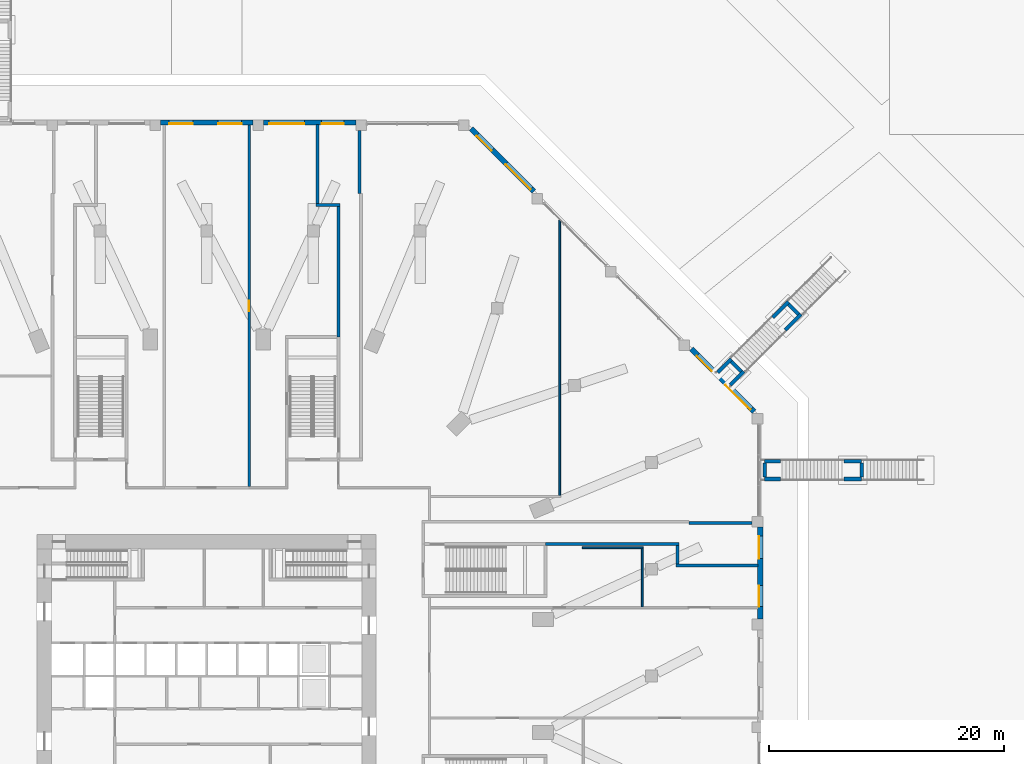
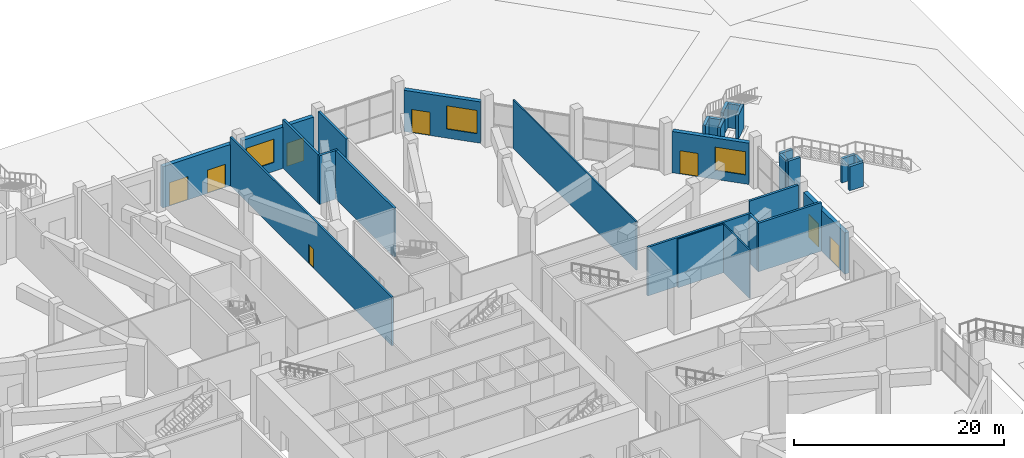
# One storey, part 28 of 36: 29 walls, 8 doors, 3 windows, 11 openings.
"""IFC4 building model written with IfcOpenShell, lengths in metres."""

from ifc_helpers import new_model, si_unit, direction, frame, frame_2d, origin, place, context, subcontext, project, spatial, rectangle, extrude, material, layer, layer_set, type_object, element, fill, save


model = new_model("IFC4")

# Units and contexts
model_context = context("Model", 3, precision=1e-05, world=origin(), true_north=direction((0.0, 1.0)))
body_context = subcontext(model_context, "Body", "Model", "MODEL_VIEW")
ifc_project = project(units=[si_unit("LENGTHUNIT", "METRE"), si_unit("AREAUNIT", "SQUARE_METRE"), si_unit("VOLUMEUNIT", "CUBIC_METRE"), si_unit("PLANEANGLEUNIT", "RADIAN"), si_unit("MASSUNIT", "GRAM", prefix="KILO")], contexts=[model_context])

# Site, building, storey
site_placement = place(None, origin())
site = spatial("IfcSite", under=ifc_project, at=site_placement, CompositionType="ELEMENT")
building_placement = place(site_placement, origin())
building = spatial("IfcBuilding", under=site, at=building_placement, Name="Msitu Wima Residences", CompositionType="ELEMENT")
storey_placement = place(building_placement, origin())
storey = spatial("IfcBuildingStorey", under=building, at=storey_placement, Name="L00", CompositionType="ELEMENT", Elevation=0.0)

# Wall, openings, doors
ifc_material_1 = material(Name="Brick (red buff mix), cavity wall of two leaves", Category="masonry")
ifc_layer_1 = layer(ifc_material_1, 0.449951171875)
ifc_layer_set_1 = layer_set([ifc_layer_1], Name="Brick (red buff mix), cavity wall of two leaves")
wall_type_1 = type_object("IfcWallType", Name="Brick infill wall BW450 podium", PredefinedType="ELEMENTEDWALL", material=ifc_layer_set_1)
wall_1_placement = place(storey_placement, frame((47.02490234375, 4.8212890625, 0.0), z_axis=(0.0, 0.0, 1.0), x_axis=(0.0, 1.0, 0.0)))
wall_1 = element("IfcWall", 1, at=wall_1_placement, inside=storey, type_object=wall_type_1, Name="Brick infill wall L00 E3", PredefinedType="ELEMENTEDWALL", context=body_context, shape_type="SweptSolid", body=[
    extrude(rectangle(XDim=7.84228515625, YDim=0.449951171875, at=frame_2d((3.921142578125, 0.0))), origin(), (0.0, 0.0, 1.0), 4.800048828125),
])
opening_1_placement = place(wall_1_placement, frame((1.060546875, 0.0, 0.0)))
opening_1 = element("IfcOpeningElement", 2, at=opening_1_placement, cuts=wall_1, Name="Opening D00.005", PredefinedType="OPENING", context=body_context, shape_type="SweptSolid", body=[
    extrude(rectangle(XDim=1.800048828125, YDim=2.699951171875, at=frame_2d((0.89990234375, 1.35009765625))), frame((0.0, 0.23486328125, 0.0), z_axis=(0.0, -1.0, 0.0), x_axis=(1.0, 0.0, 0.0)), (0.0, 0.0, 1.0), 0.469970703125),
])
opening_2_placement = place(wall_1_placement, frame((5.15673828125, 0.0, 0.0)))
opening_2 = element("IfcOpeningElement", 3, at=opening_2_placement, cuts=wall_1, Name="Opening D00.006", PredefinedType="OPENING", context=body_context, shape_type="SweptSolid", body=[
    extrude(rectangle(XDim=1.89990234375, YDim=2.699951171875, at=frame_2d((0.949951171875, 1.35009765625))), frame((0.0, 0.23486328125, 0.0), z_axis=(0.0, -1.0, 0.0), x_axis=(1.0, 0.0, 0.0)), (0.0, 0.0, 1.0), 0.469970703125),
])
ifc_material_2 = material(Name="Anodised aluminium, bronze finish, clear laminated glazing", Category="aluminium")
door_type_1 = type_object("IfcDoorType", Name="Exit door D1900x2700", OperationType="DOUBLE_DOOR_SINGLE_SWING", PredefinedType="DOOR", material=ifc_material_2)
door_1_placement = place(opening_2_placement, frame((1.89990234375, 0.0, 0.0), z_axis=(0.0, 0.0, 1.0), x_axis=(-1.0, 0.0, 0.0)))
door_1 = element("IfcDoor", 4, at=door_1_placement, inside=storey, type_object=door_type_1, Name="Exit door L00 E3", OperationType="DOUBLE_DOOR_SINGLE_SWING", OverallHeight=2.699951171875, OverallWidth=1.89990234375, PredefinedType="DOOR", context=body_context, shape_type="SweptSolid", body=[
    extrude(rectangle(XDim=1.89990234375, YDim=2.699951171875, at=frame_2d((0.949951171875, 1.35009765625))), frame((0.0, -0.079833984375, 0.0), z_axis=(0.0, -1.0, 0.0), x_axis=(1.0, 0.0, 0.0)), (0.0, 0.0, 1.0), 0.050048828125),
])
fill(opening_2, door_1)
door_type_2 = type_object("IfcDoorType", Name="Shopfront door D1800x2700", OperationType="DOUBLE_DOOR_SINGLE_SWING", PredefinedType="DOOR", material=ifc_material_2)
door_2_placement = place(opening_1_placement, frame((1.800048828125, 0.0, 0.0), z_axis=(0.0, 0.0, 1.0), x_axis=(-1.0, 0.0, 0.0)))
door_2 = element("IfcDoor", 5, at=door_2_placement, inside=storey, type_object=door_type_2, Name="Shopfront door L00 E3", OperationType="DOUBLE_DOOR_SINGLE_SWING", OverallHeight=2.699951171875, OverallWidth=1.800048828125, PredefinedType="DOOR", context=body_context, shape_type="SweptSolid", body=[
    extrude(rectangle(XDim=1.800048828125, YDim=2.699951171875, at=frame_2d((0.900146484375, 1.35009765625))), frame((0.0, -0.079833984375, 0.0), z_axis=(0.0, -1.0, 0.0), x_axis=(1.0, 0.0, 0.0)), (0.0, 0.0, 1.0), 0.050048828125),
])
fill(opening_1, door_2)

# Wall, openings, door, window
wall_2_placement = place(storey_placement, frame((46.509033203125, 22.46484375, 0.0), z_axis=(0.0, 0.0, 1.0), x_axis=(-0.70709060488, 0.707122957123, 0.0)))
wall_2 = element("IfcWall", 6, at=wall_2_placement, inside=storey, type_object=wall_type_1, Name="Brick infill wall L00 NE0", PredefinedType="ELEMENTEDWALL", context=body_context, shape_type="SweptSolid", body=[
    extrude(rectangle(XDim=7.54638671875, YDim=0.449951171875, at=frame_2d((3.773193359375, 0.0))), origin(), (0.0, 0.0, 1.0), 4.800048828125),
])
opening_3_placement = place(wall_2_placement, frame((0.3232421875, 0.0, 1.050048828125)))
opening_3 = element("IfcOpeningElement", 7, at=opening_3_placement, cuts=wall_2, Name="Opening W00.004", PredefinedType="OPENING", context=body_context, shape_type="SweptSolid", body=[
    extrude(rectangle(XDim=3.0, YDim=2.699951171875, at=frame_2d((1.5, 1.35009765625))), frame((0.0, 0.23486328125, 0.0), z_axis=(0.0, -1.0, 0.0), x_axis=(1.0, 0.0, 0.0)), (0.0, 0.0, 1.0), 0.469970703125),
])
opening_4_placement = place(wall_2_placement, frame((4.984619140625, 0.0, 0.0)))
opening_4 = element("IfcOpeningElement", 8, at=opening_4_placement, cuts=wall_2, Name="Opening D00.012", PredefinedType="OPENING", context=body_context, shape_type="SweptSolid", body=[
    extrude(rectangle(XDim=1.800048828125, YDim=2.699951171875, at=frame_2d((0.89990234375, 1.35009765625))), frame((0.0, 0.23486328125, 0.0), z_axis=(0.0, -1.0, 0.0), x_axis=(1.0, 0.0, 0.0)), (0.0, 0.0, 1.0), 0.469970703125),
])
door_3_placement = place(opening_4_placement, frame((1.800048828125, 0.0, 0.0), z_axis=(0.0, 0.0, 1.0), x_axis=(-1.0, 0.0, 0.0)))
door_3 = element("IfcDoor", 9, at=door_3_placement, inside=storey, type_object=door_type_2, Name="Shopfront door L00 NE0", OperationType="DOUBLE_DOOR_SINGLE_SWING", OverallHeight=2.699951171875, OverallWidth=1.800048828125, PredefinedType="DOOR", context=body_context, shape_type="SweptSolid", body=[
    extrude(rectangle(XDim=1.800048828125, YDim=2.699951171875, at=frame_2d((0.900146484375, 1.35009765625))), frame((0.0, -0.079833984375, 0.0), z_axis=(0.0, -1.0, 0.0), x_axis=(1.0, 0.0, 0.0)), (0.0, 0.0, 1.0), 0.050048828125),
])
fill(opening_4, door_3)
ifc_material_3 = material(Name="Anodised aluminium, bronze finish, clear low-emissivity double glazing", Category="aluminium")
window_type = type_object("IfcWindowType", Name="Window W3000x2700", PartitioningType="DOUBLE_PANEL_VERTICAL", PredefinedType="WINDOW", material=ifc_material_3)
window_1_placement = place(opening_3_placement, origin())
window_1 = element("IfcWindow", 10, at=window_1_placement, inside=storey, type_object=window_type, Name="Window L00 NE0.1", OverallHeight=2.699951171875, OverallWidth=3.0, PartitioningType="SINGLE_PANEL", PredefinedType="WINDOW", context=body_context, shape_type="SweptSolid", body=[
    extrude(rectangle(XDim=3.0, YDim=2.699951171875, at=frame_2d((1.5, 1.35009765625))), frame((0.0, 0.135009765625, 0.0), z_axis=(0.0, -1.0, 0.0), x_axis=(1.0, 0.0, 0.0)), (0.0, 0.0, 1.0), 0.06005859375),
])
fill(opening_3, window_1)

wall_3_placement = place(storey_placement, frame((27.801025390625, 41.173095703125, 0.0), z_axis=(0.0, 0.0, 1.0), x_axis=(-0.707122957123, 0.70709060488, 0.0)))
wall_3 = element("IfcWall", 11, at=wall_3_placement, inside=storey, type_object=wall_type_1, Name="Brick infill wall L00 NE3", PredefinedType="ELEMENTEDWALL", context=body_context, shape_type="SweptSolid", body=[
    extrude(rectangle(XDim=7.54638671875, YDim=0.449951171875, at=frame_2d((3.773193359375, 0.0))), origin(), (0.0, 0.0, 1.0), 4.800048828125),
])
opening_5_placement = place(wall_3_placement, frame((0.3232421875, 0.0, 1.050048828125)))
opening_5 = element("IfcOpeningElement", 12, at=opening_5_placement, cuts=wall_3, Name="Opening W00.005", PredefinedType="OPENING", context=body_context, shape_type="SweptSolid", body=[
    extrude(rectangle(XDim=3.0, YDim=2.699951171875, at=frame_2d((1.5, 1.35009765625))), frame((0.0, 0.23486328125, 0.0), z_axis=(0.0, -1.0, 0.0), x_axis=(1.0, 0.0, 0.0)), (0.0, 0.0, 1.0), 0.469970703125),
])
opening_6_placement = place(wall_3_placement, frame((4.984619140625, 0.0, 0.0)))
opening_6 = element("IfcOpeningElement", 13, at=opening_6_placement, cuts=wall_3, Name="Opening D00.013", PredefinedType="OPENING", context=body_context, shape_type="SweptSolid", body=[
    extrude(rectangle(XDim=1.800048828125, YDim=2.699951171875, at=frame_2d((0.89990234375, 1.35009765625))), frame((0.0, 0.23486328125, 0.0), z_axis=(0.0, -1.0, 0.0), x_axis=(1.0, 0.0, 0.0)), (0.0, 0.0, 1.0), 0.469970703125),
])
door_4_placement = place(opening_6_placement, frame((1.800048828125, 0.0, 0.0), z_axis=(0.0, 0.0, 1.0), x_axis=(-1.0, 0.0, 0.0)))
door_4 = element("IfcDoor", 14, at=door_4_placement, inside=storey, type_object=door_type_2, Name="Shopfront door L00 NE3", OperationType="DOUBLE_DOOR_SINGLE_SWING", OverallHeight=2.699951171875, OverallWidth=1.800048828125, PredefinedType="DOOR", context=body_context, shape_type="SweptSolid", body=[
    extrude(rectangle(XDim=1.800048828125, YDim=2.699951171875, at=frame_2d((0.900146484375, 1.35009765625))), frame((0.0, -0.079833984375, 0.0), z_axis=(0.0, -1.0, 0.0), x_axis=(1.0, 0.0, 0.0)), (0.0, 0.0, 1.0), 0.050048828125),
])
fill(opening_6, door_4)
window_2_placement = place(opening_5_placement, origin())
window_2 = element("IfcWindow", 15, at=window_2_placement, inside=storey, type_object=window_type, Name="Window L00 NE3.1", OverallHeight=2.699951171875, OverallWidth=3.0, PartitioningType="SINGLE_PANEL", PredefinedType="WINDOW", context=body_context, shape_type="SweptSolid", body=[
    extrude(rectangle(XDim=3.0, YDim=2.699951171875, at=frame_2d((1.5, 1.35009765625))), frame((0.0, 0.135009765625, 0.0), z_axis=(0.0, -1.0, 0.0), x_axis=(1.0, 0.0, 0.0)), (0.0, 0.0, 1.0), 0.06005859375),
])
fill(opening_5, window_2)

wall_4_placement = place(storey_placement, frame((12.66357421875, 47.02490234375, 0.0), z_axis=(0.0, 0.0, 1.0), x_axis=(-1.0, 0.0, 0.0)))
wall_4 = element("IfcWall", 16, at=wall_4_placement, inside=storey, type_object=wall_type_1, Name="Brick infill wall L00 N1", PredefinedType="ELEMENTEDWALL", context=body_context, shape_type="SweptSolid", body=[
    extrude(rectangle(XDim=7.84228515625, YDim=0.449951171875, at=frame_2d((3.921142578125, 0.0))), origin(), (0.0, 0.0, 1.0), 4.800048828125),
])
opening_7_placement = place(wall_4_placement, frame((1.010498046875, 0.0, 0.0)))
opening_7 = element("IfcOpeningElement", 17, at=opening_7_placement, cuts=wall_4, Name="Opening D00.007", PredefinedType="OPENING", context=body_context, shape_type="SweptSolid", body=[
    extrude(rectangle(XDim=1.89990234375, YDim=2.699951171875, at=frame_2d((0.949951171875, 1.35009765625))), frame((0.0, 0.23486328125, 0.0), z_axis=(0.0, -1.0, 0.0), x_axis=(1.0, 0.0, 0.0)), (0.0, 0.0, 1.0), 0.469970703125),
])
opening_8_placement = place(wall_4_placement, frame((4.37109375, 0.0, 1.050048828125)))
opening_8 = element("IfcOpeningElement", 18, at=opening_8_placement, cuts=wall_4, Name="Opening W00.001", PredefinedType="OPENING", context=body_context, shape_type="SweptSolid", body=[
    extrude(rectangle(XDim=3.0, YDim=2.699951171875, at=frame_2d((1.5, 1.35009765625))), frame((0.0, 0.23486328125, 0.0), z_axis=(0.0, -1.0, 0.0), x_axis=(1.0, 0.0, 0.0)), (0.0, 0.0, 1.0), 0.469970703125),
])
door_5_placement = place(opening_7_placement, frame((1.89990234375, 0.0, 0.0), z_axis=(0.0, 0.0, 1.0), x_axis=(-1.0, 0.0, 0.0)))
door_5 = element("IfcDoor", 19, at=door_5_placement, inside=storey, type_object=door_type_1, Name="Exit door L00 N1", OperationType="DOUBLE_DOOR_SINGLE_SWING", OverallHeight=2.699951171875, OverallWidth=1.89990234375, PredefinedType="DOOR", context=body_context, shape_type="SweptSolid", body=[
    extrude(rectangle(XDim=1.89990234375, YDim=2.699951171875, at=frame_2d((0.949951171875, 1.35009765625))), frame((0.0, -0.079833984375, 0.0), z_axis=(0.0, -1.0, 0.0), x_axis=(1.0, 0.0, 0.0)), (0.0, 0.0, 1.0), 0.050048828125),
])
fill(opening_7, door_5)
window_3_placement = place(opening_8_placement, origin())
window_3 = element("IfcWindow", 20, at=window_3_placement, inside=storey, type_object=window_type, Name="Window L00 N1.2", OverallHeight=2.699951171875, OverallWidth=3.0, PartitioningType="SINGLE_PANEL", PredefinedType="WINDOW", context=body_context, shape_type="SweptSolid", body=[
    extrude(rectangle(XDim=3.0, YDim=2.699951171875, at=frame_2d((1.5, 1.35009765625))), frame((0.0, 0.135009765625, 0.0), z_axis=(0.0, -1.0, 0.0), x_axis=(1.0, 0.0, 0.0)), (0.0, 0.0, 1.0), 0.06005859375),
])
fill(opening_8, window_3)

# Wall, openings, doors
wall_5_placement = place(storey_placement, frame((3.921142578125, 47.02490234375, 0.0), z_axis=(0.0, 0.0, 1.0), x_axis=(-1.0, 0.0, 0.0)))
wall_5 = element("IfcWall", 21, at=wall_5_placement, inside=storey, type_object=wall_type_1, Name="Brick infill wall L00 N2", PredefinedType="ELEMENTEDWALL", context=body_context, shape_type="SweptSolid", body=[
    extrude(rectangle(XDim=7.84228515625, YDim=0.449951171875, at=frame_2d((3.921142578125, 0.0))), origin(), (0.0, 0.0, 1.0), 4.800048828125),
])
opening_9_placement = place(wall_5_placement, frame((0.960693359375, 0.0, 0.0)))
opening_9 = element("IfcOpeningElement", 22, at=opening_9_placement, cuts=wall_5, Name="Opening D00.008", PredefinedType="OPENING", context=body_context, shape_type="SweptSolid", body=[
    extrude(rectangle(XDim=2.0, YDim=2.699951171875, at=frame_2d((1.0, 1.35009765625))), frame((0.0, 0.23486328125, 0.0), z_axis=(0.0, -1.0, 0.0), x_axis=(1.0, 0.0, 0.0)), (0.0, 0.0, 1.0), 0.469970703125),
])
opening_10_placement = place(wall_5_placement, frame((5.106689453125, 0.0, 0.0)))
opening_10 = element("IfcOpeningElement", 23, at=opening_10_placement, cuts=wall_5, Name="Opening D00.009", PredefinedType="OPENING", context=body_context, shape_type="SweptSolid", body=[
    extrude(rectangle(XDim=2.0, YDim=2.699951171875, at=frame_2d((1.0, 1.35009765625))), frame((0.0, 0.23486328125, 0.0), z_axis=(0.0, -1.0, 0.0), x_axis=(1.0, 0.0, 0.0)), (0.0, 0.0, 1.0), 0.469970703125),
])
door_type_3 = type_object("IfcDoorType", Name="Entrance door D2000x2700", OperationType="DOUBLE_DOOR_SINGLE_SWING", PredefinedType="DOOR", material=ifc_material_3)
door_6_placement = place(opening_9_placement, frame((2.0, 0.0, 0.0), z_axis=(0.0, 0.0, 1.0), x_axis=(-1.0, 0.0, 0.0)))
door_6 = element("IfcDoor", 24, at=door_6_placement, inside=storey, type_object=door_type_3, Name="Entrance door L00 N2", OperationType="DOUBLE_DOOR_SINGLE_SWING", OverallHeight=2.699951171875, OverallWidth=2.0, PredefinedType="DOOR", context=body_context, shape_type="SweptSolid", body=[
    extrude(rectangle(XDim=2.0, YDim=2.699951171875, at=frame_2d((1.0, 1.35009765625))), frame((0.0, -0.079833984375, 0.0), z_axis=(0.0, -1.0, 0.0), x_axis=(1.0, 0.0, 0.0)), (0.0, 0.0, 1.0), 0.050048828125),
])
fill(opening_9, door_6)
door_7_placement = place(opening_10_placement, frame((2.0, 0.0, 0.0), z_axis=(0.0, 0.0, 1.0), x_axis=(-1.0, 0.0, 0.0)))
door_7 = element("IfcDoor", 25, at=door_7_placement, inside=storey, type_object=door_type_3, Name="Entrance door L00 N2", OperationType="DOUBLE_DOOR_SINGLE_SWING", OverallHeight=2.699951171875, OverallWidth=2.0, PredefinedType="DOOR", context=body_context, shape_type="SweptSolid", body=[
    extrude(rectangle(XDim=2.0, YDim=2.699951171875, at=frame_2d((1.0, 1.35009765625))), frame((0.0, -0.079833984375, 0.0), z_axis=(0.0, -1.0, 0.0), x_axis=(1.0, 0.0, 0.0)), (0.0, 0.0, 1.0), 0.050048828125),
])
fill(opening_10, door_7)

# Wall, opening, door
ifc_material_4 = material(Name="Plaster")
ifc_layer_2 = layer(ifc_material_4, 0.011962890625, Name="Plaster")
ifc_material_5 = material(Name="Concrete blockwork", Category="masonry")
ifc_layer_3 = layer(ifc_material_5, 0.176025390625, Name="Concrete blockwork")
ifc_layer_4 = layer(ifc_material_4, 0.011962890625, Name="Plaster")
ifc_layer_set_2 = layer_set([ifc_layer_2, ifc_layer_3, ifc_layer_4], Name="Concrete blockwork")
wall_type_2 = type_object("IfcWallType", Name="Corridor wall FW200", PredefinedType="PARTITIONING", material=ifc_layer_set_2)
wall_6_placement = place(storey_placement, frame((3.60009765625, 16.10009765625, 0.0), z_axis=(0.0, 0.0, 1.0), x_axis=(0.0, 1.0, 0.0)))
wall_6 = element("IfcWall", 26, at=wall_6_placement, inside=storey, type_object=wall_type_2, Name="Corridor wall", PredefinedType="PARTITIONING", context=body_context, shape_type="SweptSolid", body=[
    extrude(rectangle(XDim=30.7548828125, YDim=0.199951171875, at=frame_2d((15.37744140625, 0.0))), origin(), (0.0, 0.0, 1.0), 5.64990234375),
])
opening_11_placement = place(wall_6_placement, frame((14.89990234375, 0.0, 0.0)))
opening_11 = element("IfcOpeningElement", 27, at=opening_11_placement, cuts=wall_6, Name="Opening D00.047", PredefinedType="OPENING", context=body_context, shape_type="SweptSolid", body=[
    extrude(rectangle(XDim=0.89990234375, YDim=2.199951171875, at=frame_2d((0.449951171875, 1.10009765625))), frame((0.0, 0.10986328125, 0.0), z_axis=(0.0, -1.0, 0.0), x_axis=(1.0, 0.0, 0.0)), (0.0, 0.0, 1.0), 0.219970703125),
])
ifc_material_6 = material(Name="Timber flush door", Category="wood")
door_type_4 = type_object("IfcDoorType", Name="Service door D05 900x2200", OperationType="SINGLE_SWING_LEFT", PredefinedType="DOOR", material=ifc_material_6)
door_8_placement = place(opening_11_placement, origin())
door_8 = element("IfcDoor", 28, at=door_8_placement, inside=storey, type_object=door_type_4, Name="Service door", OperationType="SINGLE_SWING_RIGHT", OverallHeight=2.199951171875, OverallWidth=0.89990234375, PredefinedType="DOOR", context=body_context, shape_type="SweptSolid", body=[
    extrude(rectangle(XDim=0.89990234375, YDim=2.199951171875, at=frame_2d((0.449951171875, 1.10009765625))), frame((0.0, 0.02490234375, 0.0), z_axis=(0.0, -1.0, 0.0), x_axis=(1.0, 0.0, 0.0)), (0.0, 0.0, 1.0), 0.050048828125),
])
fill(opening_11, door_8)

# Walls
ifc_material_7 = material(Name="Facing brick")
ifc_layer_5 = layer(ifc_material_7, 0.06494140625, Name="Facing brick")
ifc_material_8 = material(Name="Concrete C40/50", Category="concrete")
ifc_layer_6 = layer(ifc_material_8, 0.235107421875, Name="Concrete C40/50")
ifc_layer_set_3 = layer_set([ifc_layer_5, ifc_layer_6], Name="Concrete C40/50")
wall_type_3 = type_object("IfcWallType", Name="Garden stair support wall SW300", PredefinedType="SOLIDWALL", material=ifc_layer_set_3)
for number, where, z_axis, x_axis, name in (
    (29, (47.39990234375, 16.734619140625, 0.0), (0.0, 0.0, 1.0), (1.0, 0.0, 0.0), "Garden stair 1 support wall"),
    (30, (47.39990234375, 18.234619140625, 0.0), (0.0, 0.0, 1.0), (1.0, 0.0, 0.0), "Garden stair 1 support wall"),
):
    element("IfcWall", number, at=place(storey_placement, frame(where, z_axis=z_axis, x_axis=x_axis)), inside=storey, type_object=wall_type_3, Name=name, PredefinedType="SOLIDWALL", context=body_context, shape_type="SweptSolid", body=[
        extrude(rectangle(XDim=1.35009765625, YDim=0.300048828125, at=frame_2d((0.675048828125, 0.0))), origin(), (0.0, 0.0, 1.0), 5.800048828125),
    ])
wall_7_placement = place(storey_placement, frame((47.39990234375, 16.884765625, 0.0), z_axis=(0.0, 0.0, 1.0), x_axis=(0.0, 1.0, 0.0)))
element("IfcWall", 31, at=wall_7_placement, inside=storey, type_object=wall_type_3, Name="Garden stair 1 support wall", PredefinedType="SOLIDWALL", context=body_context, shape_type="SweptSolid", body=[
    extrude(rectangle(XDim=1.199951171875, YDim=0.300048828125, at=frame_2d((0.60009765625, 0.0))), origin(), (0.0, 0.0, 1.0), 5.800048828125),
])
for number, where, z_axis, x_axis, name in (
    (32, (54.14990234375, 16.734619140625, 0.0), (0.0, 0.0, 1.0), (1.0, 0.0, 0.0), "Garden stair 1 support wall"),
    (33, (54.14990234375, 18.234619140625, 0.0), (0.0, 0.0, 1.0), (1.0, 0.0, 0.0), "Garden stair 1 support wall"),
):
    element("IfcWall", number, at=place(storey_placement, frame(where, z_axis=z_axis, x_axis=x_axis)), inside=storey, type_object=wall_type_3, Name=name, PredefinedType="SOLIDWALL", context=body_context, shape_type="SweptSolid", body=[
        extrude(rectangle(XDim=1.5, YDim=0.300048828125, at=frame_2d((0.75, 0.0))), origin(), (0.0, 0.0, 1.0), 2.800048828125),
    ])
wall_8_placement = place(storey_placement, frame((55.64990234375, 16.884765625, 0.0), z_axis=(0.0, 0.0, 1.0), x_axis=(0.0, 1.0, 0.0)))
element("IfcWall", 34, at=wall_8_placement, inside=storey, type_object=wall_type_3, Name="Garden stair 1 support wall", PredefinedType="SOLIDWALL", context=body_context, shape_type="SweptSolid", body=[
    extrude(rectangle(XDim=1.199951171875, YDim=0.300048828125, at=frame_2d((0.60009765625, 0.0))), origin(), (0.0, 0.0, 1.0), 2.800048828125),
])
ifc_layer_7 = layer(ifc_material_4, 0.011962890625, Name="Plaster")
ifc_layer_8 = layer(ifc_material_5, 0.1259765625, Name="Concrete blockwork")
ifc_layer_9 = layer(ifc_material_4, 0.011962890625, Name="Plaster")
ifc_layer_set_4 = layer_set([ifc_layer_7, ifc_layer_8, ifc_layer_9], Name="Concrete blockwork")
wall_type_4 = type_object("IfcWallType", Name="Partition PW150", PredefinedType="PARTITIONING", material=ifc_layer_set_4)
wall_9_placement = place(storey_placement, frame((30.0, 15.331787109375, 0.0), z_axis=(0.0, 0.0, 1.0), x_axis=(0.0, 1.0, 0.0)))
element("IfcWall", 35, at=wall_9_placement, inside=storey, type_object=wall_type_4, Name="Partition", PredefinedType="PARTITIONING", context=body_context, shape_type="SweptSolid", body=[
    extrude(rectangle(XDim=23.40185546875, YDim=0.14990234375, at=frame_2d((11.700927734375, 0.0))), origin(), (0.0, 0.0, 1.0), 5.64990234375),
])
wall_10_placement = place(storey_placement, frame((31.926025390625, 10.89990234375, 0.0), z_axis=(0.0, 0.0, 1.0), x_axis=(1.0, 0.0, 0.0)))
element("IfcWall", 36, at=wall_10_placement, inside=storey, type_object=wall_type_4, Name="Partition", PredefinedType="PARTITIONING", context=body_context, shape_type="SweptSolid", body=[
    extrude(rectangle(XDim=5.14892578125, YDim=0.14990234375, at=frame_2d((2.574462890625, 0.0))), origin(), (0.0, 0.0, 1.0), 5.64990234375),
])
wall_11_placement = place(storey_placement, frame((37.0, 5.875, 0.0), z_axis=(0.0, 0.0, 1.0), x_axis=(0.0, 1.0, 0.0)))
element("IfcWall", 37, at=wall_11_placement, inside=storey, type_object=wall_type_4, Name="Partition", PredefinedType="PARTITIONING", context=body_context, shape_type="SweptSolid", body=[
    extrude(rectangle(XDim=4.949951171875, YDim=0.14990234375, at=frame_2d((2.47509765625, 0.0))), origin(), (0.0, 0.0, 1.0), 5.64990234375),
])
ifc_layer_10 = layer(ifc_material_4, 0.011962890625, Name="Plaster")
ifc_material_9 = material(Name="Reinforced concrete blockwork", Category="masonry")
ifc_layer_11 = layer(ifc_material_9, 0.22607421875, Name="Reinforced concrete blockwork")
ifc_layer_12 = layer(ifc_material_4, 0.011962890625, Name="Plaster")
ifc_layer_set_5 = layer_set([ifc_layer_10, ifc_layer_11, ifc_layer_12], Name="Reinforced concrete blockwork")
wall_type_5 = type_object("IfcWallType", Name="Stair enclosure wall SW250B", PredefinedType="PARTITIONING", material=ifc_layer_set_5)
wall_12_placement = place(storey_placement, frame((9.39990234375, 40.125, 0.0), z_axis=(0.0, 0.0, 1.0), x_axis=(0.0, 1.0, 0.0)))
element("IfcWall", 38, at=wall_12_placement, inside=storey, type_object=wall_type_5, Name="Stair enclosure wall", PredefinedType="PARTITIONING", context=body_context, shape_type="SweptSolid", body=[
    extrude(rectangle(XDim=6.72998046875, YDim=0.25, at=frame_2d((3.364990234375, 0.0))), origin(), (0.0, 0.0, 1.0), 5.64990234375),
])
wall_13_placement = place(storey_placement, frame((9.27490234375, 40.0, 0.0), z_axis=(0.0, 0.0, 1.0), x_axis=(1.0, 0.0, 0.0)))
element("IfcWall", 39, at=wall_13_placement, inside=storey, type_object=wall_type_5, Name="Stair enclosure wall", PredefinedType="PARTITIONING", context=body_context, shape_type="SweptSolid", body=[
    extrude(rectangle(XDim=2.050048828125, YDim=0.25, at=frame_2d((1.02490234375, 0.0))), origin(), (0.0, 0.0, 1.0), 5.64990234375),
])
wall_14_placement = place(storey_placement, frame((11.199951171875, 28.780029296875, 0.0), z_axis=(0.0, 0.0, 1.0), x_axis=(0.0, 1.0, 0.0)))
element("IfcWall", 40, at=wall_14_placement, inside=storey, type_object=wall_type_5, Name="Stair enclosure wall", PredefinedType="PARTITIONING", context=body_context, shape_type="SweptSolid", body=[
    extrude(rectangle(XDim=11.094970703125, YDim=0.25, at=frame_2d((5.54736328125, 0.0))), origin(), (0.0, 0.0, 1.0), 5.64990234375),
])
wall_15_placement = place(storey_placement, frame((13.0, 41.0, 0.0), z_axis=(0.0, 0.0, 1.0), x_axis=(0.0, 1.0, 0.0)))
element("IfcWall", 41, at=wall_15_placement, inside=storey, type_object=wall_type_5, Name="Stair enclosure wall", PredefinedType="PARTITIONING", context=body_context, shape_type="SweptSolid", body=[
    extrude(rectangle(XDim=5.35009765625, YDim=0.25, at=frame_2d((2.675048828125, 0.0))), origin(), (0.0, 0.0, 1.0), 5.64990234375),
])
wall_16_placement = place(storey_placement, frame((28.780029296875, 11.199951171875, 0.0), z_axis=(0.0, 0.0, 1.0), x_axis=(1.0, 0.0, 0.0)))
element("IfcWall", 42, at=wall_16_placement, inside=storey, type_object=wall_type_5, Name="Stair enclosure wall", PredefinedType="PARTITIONING", context=body_context, shape_type="SweptSolid", body=[
    extrude(rectangle(XDim=11.344970703125, YDim=0.25, at=frame_2d((5.67236328125, 0.0))), origin(), (0.0, 0.0, 1.0), 5.64990234375),
])
wall_17_placement = place(storey_placement, frame((40.0, 9.52490234375, 0.0), z_axis=(0.0, 0.0, 1.0), x_axis=(0.0, 1.0, 0.0)))
element("IfcWall", 43, at=wall_17_placement, inside=storey, type_object=wall_type_5, Name="Stair enclosure wall", PredefinedType="PARTITIONING", context=body_context, shape_type="SweptSolid", body=[
    extrude(rectangle(XDim=1.550048828125, YDim=0.25, at=frame_2d((0.77490234375, 0.0))), origin(), (0.0, 0.0, 1.0), 5.64990234375),
])
wall_18_placement = place(storey_placement, frame((39.875, 9.39990234375, 0.0), z_axis=(0.0, 0.0, 1.0), x_axis=(1.0, 0.0, 0.0)))
element("IfcWall", 44, at=wall_18_placement, inside=storey, type_object=wall_type_5, Name="Stair enclosure wall", PredefinedType="PARTITIONING", context=body_context, shape_type="SweptSolid", body=[
    extrude(rectangle(XDim=6.97998046875, YDim=0.25, at=frame_2d((3.489990234375, 0.0))), origin(), (0.0, 0.0, 1.0), 5.64990234375),
])
wall_19_placement = place(storey_placement, frame((41.0, 13.0, 0.0), z_axis=(0.0, 0.0, 1.0), x_axis=(1.0, 0.0, 0.0)))
element("IfcWall", 45, at=wall_19_placement, inside=storey, type_object=wall_type_5, Name="Stair enclosure wall", PredefinedType="PARTITIONING", context=body_context, shape_type="SweptSolid", body=[
    extrude(rectangle(XDim=5.35009765625, YDim=0.25, at=frame_2d((2.675048828125, 0.0))), origin(), (0.0, 0.0, 1.0), 5.64990234375),
])
ifc_layer_13 = layer(ifc_material_7, 0.06494140625, Name="Facing brick")
ifc_layer_14 = layer(ifc_material_8, 0.235107421875, Name="Concrete C40/50")
ifc_layer_set_6 = layer_set([ifc_layer_13, ifc_layer_14], Name="Concrete C40/50")
wall_type_6 = type_object("IfcWallType", Name="Stair support wall SW300", PredefinedType="SOLIDWALL", material=ifc_layer_set_6)
for number, where, z_axis, x_axis, name in (
    (46, (44.4951171875, 24.726318359375, 0.0), (0.0, 0.0, 1.0), (0.707106781187, 0.707106781187, 0.0), "Stair support wall NE1"),
    (47, (43.4345703125, 25.787109375, 0.0), (0.0, 0.0, 1.0), (0.707106781187, 0.707106781187, 0.0), "Stair support wall NE1"),
):
    element("IfcWall", number, at=place(storey_placement, frame(where, z_axis=z_axis, x_axis=x_axis)), inside=storey, type_object=wall_type_6, Name=name, PredefinedType="SOLIDWALL", context=body_context, shape_type="SweptSolid", body=[
        extrude(rectangle(XDim=1.599853515625, YDim=0.300048828125, at=frame_2d((0.7998046875, 0.0))), origin(), (0.0, 0.0, 1.0), 5.800048828125),
    ])
wall_20_placement = place(storey_placement, frame((45.414306640625, 25.857666015625, 0.0), z_axis=(0.0, 0.0, 1.0), x_axis=(-0.707005046524, 0.707208501214, 0.0)))
element("IfcWall", 48, at=wall_20_placement, inside=storey, type_object=wall_type_6, Name="Stair support wall NE1", PredefinedType="SOLIDWALL", context=body_context, shape_type="SweptSolid", body=[
    extrude(rectangle(XDim=1.199951171875, YDim=0.300048828125, at=frame_2d((0.60009765625, 0.0))), origin(), (0.0, 0.0, 1.0), 5.800048828125),
])
for number, where, z_axis, x_axis, name in (
    (49, (49.155517578125, 29.38671875, 0.0), (0.0, 0.0, 1.0), (0.707106781187, 0.707106781187, 0.0), "Stair support wall NE1"),
    (50, (48.0947265625, 30.447265625, 0.0), (0.0, 0.0, 1.0), (0.707106781187, 0.707106781187, 0.0), "Stair support wall NE1"),
):
    element("IfcWall", number, at=place(storey_placement, frame(where, z_axis=z_axis, x_axis=x_axis)), inside=storey, type_object=wall_type_6, Name=name, PredefinedType="SOLIDWALL", context=body_context, shape_type="SweptSolid", body=[
        extrude(rectangle(XDim=1.909423828125, YDim=0.300048828125, at=frame_2d((0.95458984375, 0.0))), origin(), (0.0, 0.0, 1.0), 2.800048828125),
    ])
wall_21_placement = place(storey_placement, frame((50.29345703125, 30.73681640625, 0.0), z_axis=(0.0, 0.0, 1.0), x_axis=(-0.707208501214, 0.707005046524, 0.0)))
element("IfcWall", 51, at=wall_21_placement, inside=storey, type_object=wall_type_6, Name="Stair support wall NE1", PredefinedType="SOLIDWALL", context=body_context, shape_type="SweptSolid", body=[
    extrude(rectangle(XDim=1.199951171875, YDim=0.300048828125, at=frame_2d((0.60009765625, 0.0))), origin(), (0.0, 0.0, 1.0), 2.800048828125),
])

save(model, "model.ifc")
